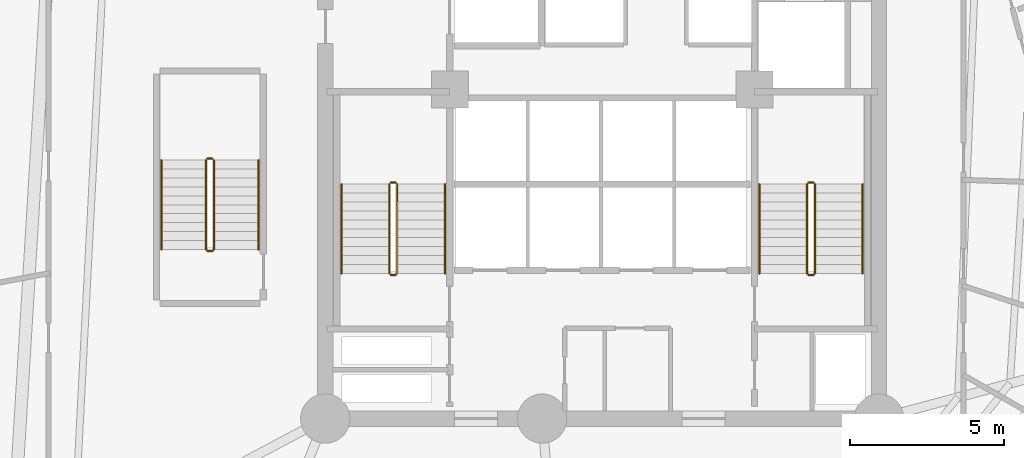
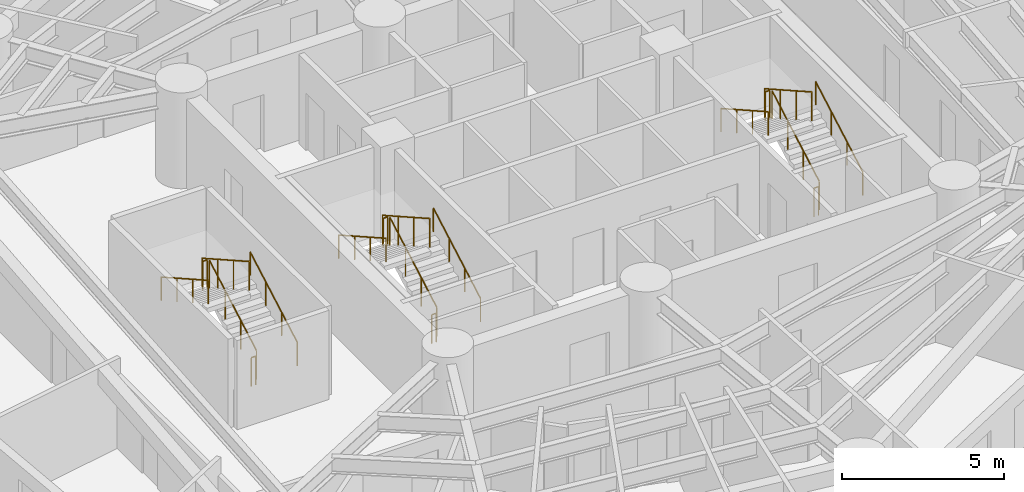
# One storey, part 8 of 8: 18 railings.
"""IFC4 building model written with IfcOpenShell, lengths in metres."""

import ifcopenshell
import ifcopenshell.guid

model = None  # the IFC model being written
_history = None  # IfcOwnerHistory: only IFC2X3 demands one
_inside = {}  # id of a spatial element -> (the spatial element, [elements in it])
_under = {}  # id of a project, library or spatial element -> (it, [spatial elements below it])
_declared = {}  # id of a project -> (the project, [libraries it declares])
_typed = {}  # id of a type object -> (the type object, [elements of that type])
_made_of = {}  # id of a material, layer set ... -> (it, [elements and type objects made of it])


def new_model(schema):
    """Start an empty IFC model of exactly this schema.

    Asked for "IFC4X3", IfcOpenShell would pick the latest addendum, in which some entities
    have other attributes; the version numbers below select the first issue.
    IFC2X3 requires an IfcOwnerHistory on every rooted entity: one is made here for all.
    """
    global model, _history
    if schema == "IFC4X3":
        model = ifcopenshell.file(schema_version=(4, 3, 0, 0))
    else:
        model = ifcopenshell.file(schema=schema)
    _inside.clear()
    _under.clear()
    _declared.clear()
    _typed.clear()
    _made_of.clear()
    _history = None
    if model.schema == "IFC2X3":
        org = make("IfcOrganization", Name="unknown")
        user = make(
            "IfcPersonAndOrganization",
            ThePerson=make("IfcPerson", FamilyName="unknown"),
            TheOrganization=org,
        )
        app = make(
            "IfcApplication",
            ApplicationDeveloper=org,
            Version="unknown",
            ApplicationFullName="unknown",
            ApplicationIdentifier="unknown",
        )
        _history = make(
            "IfcOwnerHistory",
            OwningUser=user,
            OwningApplication=app,
            ChangeAction="ADDED",
            CreationDate=0,
        )
    return model


def make(cls, **values):
    """One entity of the class cls with the attributes given. An attribute that is None is left unset."""
    return model.create_entity(
        cls, **{name: value for name, value in values.items() if value is not None}
    )


def rooted(cls, **values):
    """An entity with a GlobalId (a new one), such as an element, a storey or a relation."""
    return make(cls, GlobalId=ifcopenshell.guid.new(), OwnerHistory=_history, **values)


def si_unit(unit_type, name, prefix=None):
    """IfcSIUnit, for example si_unit("LENGTHUNIT", "METRE", prefix="MILLI")."""
    return make("IfcSIUnit", UnitType=unit_type, Prefix=prefix, Name=name)


def assignment(units):
    """IfcUnitAssignment: the units of a project."""
    return None if units is None else make("IfcUnitAssignment", Units=units)


def point(xyz):
    """IfcCartesianPoint."""
    return None if xyz is None else make("IfcCartesianPoint", Coordinates=xyz)


def direction(xyz):
    """IfcDirection."""
    return None if xyz is None else make("IfcDirection", DirectionRatios=xyz)


def frame(location, z_axis=None, x_axis=None):
    """IfcAxis2Placement3D, a coordinate frame: its origin and axes. An axis left out is left unset."""
    return make(
        "IfcAxis2Placement3D",
        Location=point(location),
        Axis=direction(z_axis),
        RefDirection=direction(x_axis),
    )


def frame_2d(location, x_axis=None):
    """IfcAxis2Placement2D, a coordinate frame in the plane: its origin and x axis."""
    return make(
        "IfcAxis2Placement2D", Location=point(location), RefDirection=direction(x_axis)
    )


def origin():
    """The frame at (0, 0, 0) with its axes left unset."""
    return frame((0.0, 0.0, 0.0))


def origin_2d():
    """The frame at (0, 0) in the plane with its x axis left unset."""
    return frame_2d((0.0, 0.0))


def place(relative_to, where):
    """IfcLocalPlacement: puts the frame where relative to a parent placement (None: the world)."""
    return make(
        "IfcLocalPlacement", PlacementRelTo=relative_to, RelativePlacement=where
    )


def context(
    kind, dimensions, precision=None, world=None, true_north=None, identifier=None
):
    """IfcGeometricRepresentationContext, for example the 3D "Model" context."""
    return make(
        "IfcGeometricRepresentationContext",
        ContextIdentifier=identifier,
        ContextType=kind,
        CoordinateSpaceDimension=dimensions,
        Precision=precision,
        WorldCoordinateSystem=world,
        TrueNorth=true_north,
    )


def subcontext(parent, identifier, kind, view, scale=None):
    """IfcGeometricRepresentationSubContext, for example "Body" below "Model"."""
    return make(
        "IfcGeometricRepresentationSubContext",
        ContextIdentifier=identifier,
        ContextType=kind,
        ParentContext=parent,
        TargetScale=scale,
        TargetView=view,
    )


def project(units=None, contexts=None):
    """IfcProject with its units and contexts."""
    return rooted(
        "IfcProject",
        Name="project",
        RepresentationContexts=contexts,
        UnitsInContext=assignment(units),
    )


def spatial(cls, under=None, at=None, **own):
    """A site, building, storey or space (cls), placed at a placement, below another one or the project."""
    s = rooted(cls, ObjectPlacement=at, **own)
    if under is not None:
        _under.setdefault(under.id(), (under, []))[1].append(s)
    return s


def profile(cls, at=None, kind="AREA", **sizes):
    """A parametric profile (cls). Its sizes go by their IFC names, for example OverallWidth=200.0."""
    return make(cls, ProfileType=kind, Position=at, **sizes)


def circle(**sizes):
    """IfcCircleProfileDef."""
    return profile("IfcCircleProfileDef", **sizes)


def extrude(swept, where, along, depth):
    """IfcExtrudedAreaSolid: the profile swept, set in the frame where, extruded along a direction by depth."""
    return make(
        "IfcExtrudedAreaSolid",
        SweptArea=swept,
        Position=where,
        ExtrudedDirection=direction(along),
        Depth=depth,
    )


def shape(context_of_items, identifier, shape_type, items):
    """IfcShapeRepresentation: the items that make up one representation, for example the "Body"."""
    return make(
        "IfcShapeRepresentation",
        ContextOfItems=context_of_items,
        RepresentationIdentifier=identifier,
        RepresentationType=shape_type,
        Items=items,
    )


def material(Name=None, Category=None):
    """IfcMaterial."""
    return make("IfcMaterial", Name=Name, Category=Category)


def layer(
    of_material, thickness, ventilated=None, Name=None, Category=None, Priority=None
):
    """IfcMaterialLayer: one layer of a wall or slab, of a material (None: an air gap)."""
    return make(
        "IfcMaterialLayer",
        Material=of_material,
        LayerThickness=thickness,
        IsVentilated=ventilated,
        Name=Name,
        Category=Category,
        Priority=Priority,
    )


def layer_set(layers, Name=None):
    """IfcMaterialLayerSet."""
    return make("IfcMaterialLayerSet", MaterialLayers=layers, LayerSetName=Name)


def made_of(thing, what):
    """Note that an element or type object is made of a material, layer set ...; save() writes the relation."""
    if what is not None:
        _made_of.setdefault(what.id(), (what, []))[1].append(thing)
    return thing


def type_object(cls, material=None, **own):
    """A type object (cls), such as IfcWallType, which elements share."""
    return made_of(rooted(cls, **own), material)


def element(
    cls,
    number,
    at=None,
    inside=None,
    cuts=None,
    type_object=None,
    material=None,
    context=None,
    identifier="Body",
    shape_type=None,
    held_by="IfcProductDefinitionShape",
    body=None,
    shapes=None,
    **own,
):
    """One element of the class cls, such as IfcWall. Its Tag is "e" and its number.

    at: its placement. inside: the storey or other place that contains it. cuts: it is an
    opening in that element (IfcRelVoidsElement). A single representation is given by context,
    identifier, shape_type and body (its items); several are given by shapes. held_by: the class
    of the entity that holds the representations. save() writes the other relations.
    """
    e = rooted(cls, Tag="e%d" % number, ObjectPlacement=at, **own)
    if body is not None:
        shapes = [shape(context, identifier, shape_type, body)]
    if shapes is not None:
        e.Representation = make(held_by, Representations=shapes)
    if inside is not None:
        _inside.setdefault(inside.id(), (inside, []))[1].append(e)
    if cuts is not None:
        rooted(
            "IfcRelVoidsElement", RelatingBuildingElement=cuts, RelatedOpeningElement=e
        )
    if type_object is not None:
        _typed.setdefault(type_object.id(), (type_object, []))[1].append(e)
    return made_of(e, material)


def aggregate(whole, parts):
    """IfcRelAggregates: a whole, such as a stair, and the parts it consists of."""
    return rooted("IfcRelAggregates", RelatingObject=whole, RelatedObjects=parts)


def save(model, path):
    """Write the relations noted so far, then the file.

    IfcRelAggregates (storeys below a building ...), IfcRelContainedInSpatialStructure (elements
    in a storey), IfcRelDefinesByType, IfcRelAssociatesMaterial and IfcRelDeclares: one each for
    every whole, place, type object, material and project.
    """
    for whole, parts in _under.values():
        aggregate(whole, parts)
    for where, things in _inside.values():
        rooted(
            "IfcRelContainedInSpatialStructure",
            RelatedElements=things,
            RelatingStructure=where,
        )
    for kind, things in _typed.values():
        rooted("IfcRelDefinesByType", RelatedObjects=things, RelatingType=kind)
    for what, things in _made_of.values():
        rooted("IfcRelAssociatesMaterial", RelatedObjects=things, RelatingMaterial=what)
    for by, libraries in _declared.values():
        rooted("IfcRelDeclares", RelatingContext=by, RelatedDefinitions=libraries)
    model.write(path)


model = new_model("IFC4")

# Units and contexts
model_context = context("Model", 3, precision=1e-05, world=origin(), true_north=direction((0.0, 1.0)))
body_context = subcontext(model_context, "Body", "Model", "MODEL_VIEW")
ifc_project = project(units=[si_unit("LENGTHUNIT", "METRE"), si_unit("AREAUNIT", "SQUARE_METRE"), si_unit("VOLUMEUNIT", "CUBIC_METRE"), si_unit("PLANEANGLEUNIT", "RADIAN"), si_unit("MASSUNIT", "GRAM", prefix="KILO")], contexts=[model_context])

# Site, building, storey
site_placement = place(None, origin())
site = spatial("IfcSite", under=ifc_project, at=site_placement, CompositionType="ELEMENT")
building_placement = place(site_placement, origin())
building = spatial("IfcBuilding", under=site, at=building_placement, Name="Karkom Vertical University and Central Library", CompositionType="ELEMENT")
storey_placement = place(building_placement, frame((0.0, 0.0, 58.89990234375)))
storey = spatial("IfcBuildingStorey", under=building, at=storey_placement, Name="L15", CompositionType="ELEMENT", Elevation=58.89990234375)

# Railings
ifc_material_1 = material(Name="Painted galvanised steel balustrade", Category="steel")
ifc_layer_1 = layer(ifc_material_1, 0.06005859375)
ifc_layer_set_1 = layer_set([ifc_layer_1], Name="Painted galvanised steel balustrade")
railing_type_1 = type_object("IfcRailingType", Name="INT-RL-GUARD1100", PredefinedType="GUARDRAIL", material=ifc_layer_set_1)
railing_1_placement = place(storey_placement, frame((21.840087890625, 23.02001953125, 0.163818359375)))
element("IfcRailing", 1, at=railing_1_placement, inside=storey, type_object=railing_type_1, Name="Level 15 ST-1 stair guard 1", PredefinedType="GUARDRAIL", context=body_context, shape_type="SweptSolid", body=[
    extrude(circle(Radius=0.02392578125, at=origin_2d()), frame((0.0, 0.0, 1.076171875), z_axis=(0.0, 0.870928581787, 0.491409610636), x_axis=(-1.0, 0.0, 0.0)), (0.0, 0.0, 1.0), 3.32958984375),
    extrude(circle(Radius=0.02099609375, at=origin_2d()), origin(), (0.0, 0.0, 1.0), 1.052001953125),
    extrude(circle(Radius=0.02099609375, at=origin_2d()), frame((0.0, 0.966552734375, 0.54541015625)), (0.0, 0.0, 1.0), 1.052001953125),
    extrude(circle(Radius=0.02099609375, at=origin_2d()), frame((0.0, 1.933349609375, 1.0908203125)), (0.0, 0.0, 1.0), 1.052001953125),
    extrude(circle(Radius=0.02099609375, at=origin_2d()), frame((0.0, 2.89990234375, 1.63623046875)), (0.0, 0.0, 1.0), 1.052001953125),
])
railing_2_placement = place(storey_placement, frame((21.7900390625, 25.969970703125, 1.800048828125)))
element("IfcRailing", 2, at=railing_2_placement, inside=storey, type_object=railing_type_1, Name="Level 15 ST-1 stair guard 2", PredefinedType="GUARDRAIL", context=body_context, shape_type="SweptSolid", body=[
    extrude(circle(Radius=0.02392578125, at=origin_2d()), frame((0.0, 0.0, 1.076171875), z_axis=(-1.0, 0.0, 0.0), x_axis=(0.0, -1.0, 0.0)), (0.0, 0.0, 1.0), 0.16015625),
    extrude(circle(Radius=0.02099609375, at=origin_2d()), origin(), (0.0, 0.0, 1.0), 1.052001953125),
    extrude(circle(Radius=0.02099609375, at=origin_2d()), frame((-0.16015625, 0.0, 0.0)), (0.0, 0.0, 1.0), 1.052001953125),
])
railing_3_placement = place(storey_placement, frame((21.580078125, 25.919921875, 1.963623046875)))
element("IfcRailing", 3, at=railing_3_placement, inside=storey, type_object=railing_type_1, Name="Level 15 ST-1 stair guard 3", PredefinedType="GUARDRAIL", context=body_context, shape_type="SweptSolid", body=[
    extrude(circle(Radius=0.02392578125, at=origin_2d()), frame((0.0, 0.0, 1.076171875), z_axis=(0.0, -0.870897200241, 0.491465224214), x_axis=(1.0, 0.0, 0.0)), (0.0, 0.0, 1.0), 3.329833984375),
    extrude(circle(Radius=0.02099609375, at=origin_2d()), origin(), (0.0, 0.0, 1.0), 1.052001953125),
    extrude(circle(Radius=0.02099609375, at=origin_2d()), frame((0.0, -0.966552734375, 0.54541015625)), (0.0, 0.0, 1.0), 1.052001953125),
    extrude(circle(Radius=0.02099609375, at=origin_2d()), frame((0.0, -1.933349609375, 1.091064453125)), (0.0, 0.0, 1.0), 1.052001953125),
    extrude(circle(Radius=0.02099609375, at=origin_2d()), frame((0.0, -2.89990234375, 1.636474609375)), (0.0, 0.0, 1.0), 1.052001953125),
])
railing_4_placement = place(storey_placement, frame((21.7900390625, 22.969970703125, 0.0)))
element("IfcRailing", 4, at=railing_4_placement, inside=storey, type_object=railing_type_1, Name="Level 15 ST-1 stair guard 4", PredefinedType="GUARDRAIL", context=body_context, shape_type="SweptSolid", body=[
    extrude(circle(Radius=0.02392578125, at=origin_2d()), frame((0.0, 0.0, 1.076171875), z_axis=(-1.0, 0.0, 0.0), x_axis=(0.0, -1.0, 0.0)), (0.0, 0.0, 1.0), 0.16015625),
    extrude(circle(Radius=0.02099609375, at=origin_2d()), origin(), (0.0, 0.0, 1.0), 1.052001953125),
    extrude(circle(Radius=0.02099609375, at=origin_2d()), frame((-0.16015625, 0.0, 0.0)), (0.0, 0.0, 1.0), 1.052001953125),
])
railing_5_placement = place(storey_placement, frame((35.419921875, 23.02001953125, 0.163818359375)))
element("IfcRailing", 5, at=railing_5_placement, inside=storey, type_object=railing_type_1, Name="Level 15 ST-2 stair guard 1", PredefinedType="GUARDRAIL", context=body_context, shape_type="SweptSolid", body=[
    extrude(circle(Radius=0.02392578125, at=origin_2d()), frame((0.0, 0.0, 1.076171875), z_axis=(0.0, 0.870928581787, 0.491409610636), x_axis=(-1.0, 0.0, 0.0)), (0.0, 0.0, 1.0), 3.32958984375),
    extrude(circle(Radius=0.02099609375, at=origin_2d()), origin(), (0.0, 0.0, 1.0), 1.052001953125),
    extrude(circle(Radius=0.02099609375, at=origin_2d()), frame((0.0, 0.966552734375, 0.54541015625)), (0.0, 0.0, 1.0), 1.052001953125),
    extrude(circle(Radius=0.02099609375, at=origin_2d()), frame((0.0, 1.933349609375, 1.0908203125)), (0.0, 0.0, 1.0), 1.052001953125),
    extrude(circle(Radius=0.02099609375, at=origin_2d()), frame((0.0, 2.89990234375, 1.63623046875)), (0.0, 0.0, 1.0), 1.052001953125),
])
railing_6_placement = place(storey_placement, frame((35.3701171875, 25.969970703125, 1.800048828125)))
element("IfcRailing", 6, at=railing_6_placement, inside=storey, type_object=railing_type_1, Name="Level 15 ST-2 stair guard 2", PredefinedType="GUARDRAIL", context=body_context, shape_type="SweptSolid", body=[
    extrude(circle(Radius=0.02392578125, at=origin_2d()), frame((0.0, 0.0, 1.076171875), z_axis=(-1.0, 0.0, 0.0), x_axis=(0.0, -1.0, 0.0)), (0.0, 0.0, 1.0), 0.16015625),
    extrude(circle(Radius=0.02099609375, at=origin_2d()), origin(), (0.0, 0.0, 1.0), 1.052001953125),
    extrude(circle(Radius=0.02099609375, at=origin_2d()), frame((-0.16015625, 0.0, 0.0)), (0.0, 0.0, 1.0), 1.052001953125),
])
railing_7_placement = place(storey_placement, frame((35.159912109375, 25.919921875, 1.963623046875)))
element("IfcRailing", 7, at=railing_7_placement, inside=storey, type_object=railing_type_1, Name="Level 15 ST-2 stair guard 3", PredefinedType="GUARDRAIL", context=body_context, shape_type="SweptSolid", body=[
    extrude(circle(Radius=0.02392578125, at=origin_2d()), frame((0.0, 0.0, 1.076171875), z_axis=(0.0, -0.870897200241, 0.491465224214), x_axis=(1.0, 0.0, 0.0)), (0.0, 0.0, 1.0), 3.329833984375),
    extrude(circle(Radius=0.02099609375, at=origin_2d()), origin(), (0.0, 0.0, 1.0), 1.052001953125),
    extrude(circle(Radius=0.02099609375, at=origin_2d()), frame((0.0, -0.966552734375, 0.54541015625)), (0.0, 0.0, 1.0), 1.052001953125),
    extrude(circle(Radius=0.02099609375, at=origin_2d()), frame((0.0, -1.933349609375, 1.091064453125)), (0.0, 0.0, 1.0), 1.052001953125),
    extrude(circle(Radius=0.02099609375, at=origin_2d()), frame((0.0, -2.89990234375, 1.636474609375)), (0.0, 0.0, 1.0), 1.052001953125),
])
railing_8_placement = place(storey_placement, frame((35.3701171875, 22.969970703125, 0.0)))
element("IfcRailing", 8, at=railing_8_placement, inside=storey, type_object=railing_type_1, Name="Level 15 ST-2 stair guard 4", PredefinedType="GUARDRAIL", context=body_context, shape_type="SweptSolid", body=[
    extrude(circle(Radius=0.02392578125, at=origin_2d()), frame((0.0, 0.0, 1.076171875), z_axis=(-1.0, 0.0, 0.0), x_axis=(0.0, -1.0, 0.0)), (0.0, 0.0, 1.0), 0.16015625),
    extrude(circle(Radius=0.02099609375, at=origin_2d()), origin(), (0.0, 0.0, 1.0), 1.052001953125),
    extrude(circle(Radius=0.02099609375, at=origin_2d()), frame((-0.16015625, 0.0, 0.0)), (0.0, 0.0, 1.0), 1.052001953125),
])
railing_9_placement = place(storey_placement, frame((15.8798828125, 23.800048828125, 0.163818359375)))
element("IfcRailing", 9, at=railing_9_placement, inside=storey, type_object=railing_type_1, Name="Level 15 ST-3 stair guard 1", PredefinedType="GUARDRAIL", context=body_context, shape_type="SweptSolid", body=[
    extrude(circle(Radius=0.02392578125, at=origin_2d()), frame((0.0, 0.0, 1.076171875), z_axis=(0.0, 0.870928581787, 0.491409610636), x_axis=(-1.0, 0.0, 0.0)), (0.0, 0.0, 1.0), 3.32958984375),
    extrude(circle(Radius=0.02099609375, at=origin_2d()), origin(), (0.0, 0.0, 1.0), 1.052001953125),
    extrude(circle(Radius=0.02099609375, at=origin_2d()), frame((0.0, 0.966552734375, 0.54541015625)), (0.0, 0.0, 1.0), 1.052001953125),
    extrude(circle(Radius=0.02099609375, at=origin_2d()), frame((0.0, 1.933349609375, 1.0908203125)), (0.0, 0.0, 1.0), 1.052001953125),
    extrude(circle(Radius=0.02099609375, at=origin_2d()), frame((0.0, 2.89990234375, 1.63623046875)), (0.0, 0.0, 1.0), 1.052001953125),
])
railing_10_placement = place(storey_placement, frame((15.830078125, 26.75, 1.800048828125)))
element("IfcRailing", 10, at=railing_10_placement, inside=storey, type_object=railing_type_1, Name="Level 15 ST-3 stair guard 2", PredefinedType="GUARDRAIL", context=body_context, shape_type="SweptSolid", body=[
    extrude(circle(Radius=0.02392578125, at=origin_2d()), frame((0.0, 0.0, 1.076171875), z_axis=(-1.0, 0.0, 0.0), x_axis=(0.0, -1.0, 0.0)), (0.0, 0.0, 1.0), 0.16015625),
    extrude(circle(Radius=0.02099609375, at=origin_2d()), origin(), (0.0, 0.0, 1.0), 1.052001953125),
    extrude(circle(Radius=0.02099609375, at=origin_2d()), frame((-0.16015625, 0.0, 0.0)), (0.0, 0.0, 1.0), 1.052001953125),
])
railing_11_placement = place(storey_placement, frame((15.6201171875, 26.699951171875, 1.963623046875)))
element("IfcRailing", 11, at=railing_11_placement, inside=storey, type_object=railing_type_1, Name="Level 15 ST-3 stair guard 3", PredefinedType="GUARDRAIL", context=body_context, shape_type="SweptSolid", body=[
    extrude(circle(Radius=0.02392578125, at=origin_2d()), frame((0.0, 0.0, 1.076171875), z_axis=(0.0, -0.870897200241, 0.491465224214), x_axis=(1.0, 0.0, 0.0)), (0.0, 0.0, 1.0), 3.329833984375),
    extrude(circle(Radius=0.02099609375, at=origin_2d()), origin(), (0.0, 0.0, 1.0), 1.052001953125),
    extrude(circle(Radius=0.02099609375, at=origin_2d()), frame((0.0, -0.966552734375, 0.54541015625)), (0.0, 0.0, 1.0), 1.052001953125),
    extrude(circle(Radius=0.02099609375, at=origin_2d()), frame((0.0, -1.933349609375, 1.091064453125)), (0.0, 0.0, 1.0), 1.052001953125),
    extrude(circle(Radius=0.02099609375, at=origin_2d()), frame((0.0, -2.89990234375, 1.636474609375)), (0.0, 0.0, 1.0), 1.052001953125),
])
railing_12_placement = place(storey_placement, frame((15.830078125, 23.75, 0.0)))
element("IfcRailing", 12, at=railing_12_placement, inside=storey, type_object=railing_type_1, Name="Level 15 ST-3 stair guard 4", PredefinedType="GUARDRAIL", context=body_context, shape_type="SweptSolid", body=[
    extrude(circle(Radius=0.02392578125, at=origin_2d()), frame((0.0, 0.0, 1.076171875), z_axis=(-1.0, 0.0, 0.0), x_axis=(0.0, -1.0, 0.0)), (0.0, 0.0, 1.0), 0.16015625),
    extrude(circle(Radius=0.02099609375, at=origin_2d()), origin(), (0.0, 0.0, 1.0), 1.052001953125),
    extrude(circle(Radius=0.02099609375, at=origin_2d()), frame((-0.16015625, 0.0, 0.0)), (0.0, 0.0, 1.0), 1.052001953125),
])
ifc_material_2 = material(Name="Brushed stainless-steel tubular handrail", Category="steel")
ifc_layer_2 = layer(ifc_material_2, 0.048095703125)
ifc_layer_set_2 = layer_set([ifc_layer_2], Name="Brushed stainless-steel tubular handrail")
railing_type_2 = type_object("IfcRailingType", Name="INT-RL-HAND920", PredefinedType="HANDRAIL", material=ifc_layer_set_2)
railing_13_placement = place(storey_placement, frame((23.389892578125, 23.02001953125, 0.163818359375)))
element("IfcRailing", 13, at=railing_13_placement, inside=storey, type_object=railing_type_2, Name="Level 15 ST-1 stair handrail 1", PredefinedType="HANDRAIL", context=body_context, shape_type="SweptSolid", body=[
    extrude(circle(Radius=0.02392578125, at=origin_2d()), frame((0.0, 0.0, 0.8759765625), z_axis=(0.0, 0.870928581787, 0.491409610636), x_axis=(-1.0, 0.0, 0.0)), (0.0, 0.0, 1.0), 3.32958984375),
    extrude(circle(Radius=0.02099609375, at=origin_2d()), origin(), (0.0, 0.0, 1.0), 0.851806640625),
    extrude(circle(Radius=0.02099609375, at=origin_2d()), frame((0.0, 0.966552734375, 0.54541015625)), (0.0, 0.0, 1.0), 0.851806640625),
    extrude(circle(Radius=0.02099609375, at=origin_2d()), frame((0.0, 1.933349609375, 1.0908203125)), (0.0, 0.0, 1.0), 0.851806640625),
    extrude(circle(Radius=0.02099609375, at=origin_2d()), frame((0.0, 2.89990234375, 1.63623046875)), (0.0, 0.0, 1.0), 0.851806640625),
])
railing_14_placement = place(storey_placement, frame((20.030029296875, 25.919921875, 1.963623046875)))
element("IfcRailing", 14, at=railing_14_placement, inside=storey, type_object=railing_type_2, Name="Level 15 ST-1 stair handrail 2", PredefinedType="HANDRAIL", context=body_context, shape_type="SweptSolid", body=[
    extrude(circle(Radius=0.02392578125, at=origin_2d()), frame((0.0, 0.0, 0.8759765625), z_axis=(0.0, -0.870897200241, 0.491465224214), x_axis=(1.0, 0.0, 0.0)), (0.0, 0.0, 1.0), 3.329833984375),
    extrude(circle(Radius=0.02099609375, at=origin_2d()), origin(), (0.0, 0.0, 1.0), 0.851806640625),
    extrude(circle(Radius=0.02099609375, at=origin_2d()), frame((0.0, -0.966552734375, 0.54541015625)), (0.0, 0.0, 1.0), 0.851806640625),
    extrude(circle(Radius=0.02099609375, at=origin_2d()), frame((0.0, -1.933349609375, 1.091064453125)), (0.0, 0.0, 1.0), 0.851806640625),
    extrude(circle(Radius=0.02099609375, at=origin_2d()), frame((0.0, -2.89990234375, 1.636474609375)), (0.0, 0.0, 1.0), 0.851806640625),
])
railing_15_placement = place(storey_placement, frame((36.969970703125, 23.02001953125, 0.163818359375)))
element("IfcRailing", 15, at=railing_15_placement, inside=storey, type_object=railing_type_2, Name="Level 15 ST-2 stair handrail 1", PredefinedType="HANDRAIL", context=body_context, shape_type="SweptSolid", body=[
    extrude(circle(Radius=0.02392578125, at=origin_2d()), frame((0.0, 0.0, 0.8759765625), z_axis=(0.0, 0.870928581787, 0.491409610636), x_axis=(-1.0, 0.0, 0.0)), (0.0, 0.0, 1.0), 3.32958984375),
    extrude(circle(Radius=0.02099609375, at=origin_2d()), origin(), (0.0, 0.0, 1.0), 0.851806640625),
    extrude(circle(Radius=0.02099609375, at=origin_2d()), frame((0.0, 0.966552734375, 0.54541015625)), (0.0, 0.0, 1.0), 0.851806640625),
    extrude(circle(Radius=0.02099609375, at=origin_2d()), frame((0.0, 1.933349609375, 1.0908203125)), (0.0, 0.0, 1.0), 0.851806640625),
    extrude(circle(Radius=0.02099609375, at=origin_2d()), frame((0.0, 2.89990234375, 1.63623046875)), (0.0, 0.0, 1.0), 0.851806640625),
])
railing_16_placement = place(storey_placement, frame((33.610107421875, 25.919921875, 1.963623046875)))
element("IfcRailing", 16, at=railing_16_placement, inside=storey, type_object=railing_type_2, Name="Level 15 ST-2 stair handrail 2", PredefinedType="HANDRAIL", context=body_context, shape_type="SweptSolid", body=[
    extrude(circle(Radius=0.02392578125, at=origin_2d()), frame((0.0, 0.0, 0.8759765625), z_axis=(0.0, -0.870897200241, 0.491465224214), x_axis=(1.0, 0.0, 0.0)), (0.0, 0.0, 1.0), 3.329833984375),
    extrude(circle(Radius=0.02099609375, at=origin_2d()), origin(), (0.0, 0.0, 1.0), 0.851806640625),
    extrude(circle(Radius=0.02099609375, at=origin_2d()), frame((0.0, -0.966552734375, 0.54541015625)), (0.0, 0.0, 1.0), 0.851806640625),
    extrude(circle(Radius=0.02099609375, at=origin_2d()), frame((0.0, -1.933349609375, 1.091064453125)), (0.0, 0.0, 1.0), 0.851806640625),
    extrude(circle(Radius=0.02099609375, at=origin_2d()), frame((0.0, -2.89990234375, 1.636474609375)), (0.0, 0.0, 1.0), 0.851806640625),
])
railing_17_placement = place(storey_placement, frame((17.330078125, 23.800048828125, 0.163818359375)))
element("IfcRailing", 17, at=railing_17_placement, inside=storey, type_object=railing_type_2, Name="Level 15 ST-3 stair handrail 1", PredefinedType="HANDRAIL", context=body_context, shape_type="SweptSolid", body=[
    extrude(circle(Radius=0.02392578125, at=origin_2d()), frame((0.0, 0.0, 0.8759765625), z_axis=(0.0, 0.870928581787, 0.491409610636), x_axis=(-1.0, 0.0, 0.0)), (0.0, 0.0, 1.0), 3.32958984375),
    extrude(circle(Radius=0.02099609375, at=origin_2d()), origin(), (0.0, 0.0, 1.0), 0.851806640625),
    extrude(circle(Radius=0.02099609375, at=origin_2d()), frame((0.0, 0.966552734375, 0.54541015625)), (0.0, 0.0, 1.0), 0.851806640625),
    extrude(circle(Radius=0.02099609375, at=origin_2d()), frame((0.0, 1.933349609375, 1.0908203125)), (0.0, 0.0, 1.0), 0.851806640625),
    extrude(circle(Radius=0.02099609375, at=origin_2d()), frame((0.0, 2.89990234375, 1.63623046875)), (0.0, 0.0, 1.0), 0.851806640625),
])
railing_18_placement = place(storey_placement, frame((14.169921875, 26.699951171875, 1.963623046875)))
element("IfcRailing", 18, at=railing_18_placement, inside=storey, type_object=railing_type_2, Name="Level 15 ST-3 stair handrail 2", PredefinedType="HANDRAIL", context=body_context, shape_type="SweptSolid", body=[
    extrude(circle(Radius=0.02392578125, at=origin_2d()), frame((0.0, 0.0, 0.8759765625), z_axis=(0.0, -0.870897200241, 0.491465224214), x_axis=(1.0, 0.0, 0.0)), (0.0, 0.0, 1.0), 3.329833984375),
    extrude(circle(Radius=0.02099609375, at=origin_2d()), origin(), (0.0, 0.0, 1.0), 0.851806640625),
    extrude(circle(Radius=0.02099609375, at=origin_2d()), frame((0.0, -0.966552734375, 0.54541015625)), (0.0, 0.0, 1.0), 0.851806640625),
    extrude(circle(Radius=0.02099609375, at=origin_2d()), frame((0.0, -1.933349609375, 1.091064453125)), (0.0, 0.0, 1.0), 0.851806640625),
    extrude(circle(Radius=0.02099609375, at=origin_2d()), frame((0.0, -2.89990234375, 1.636474609375)), (0.0, 0.0, 1.0), 0.851806640625),
])

save(model, "model.ifc")
